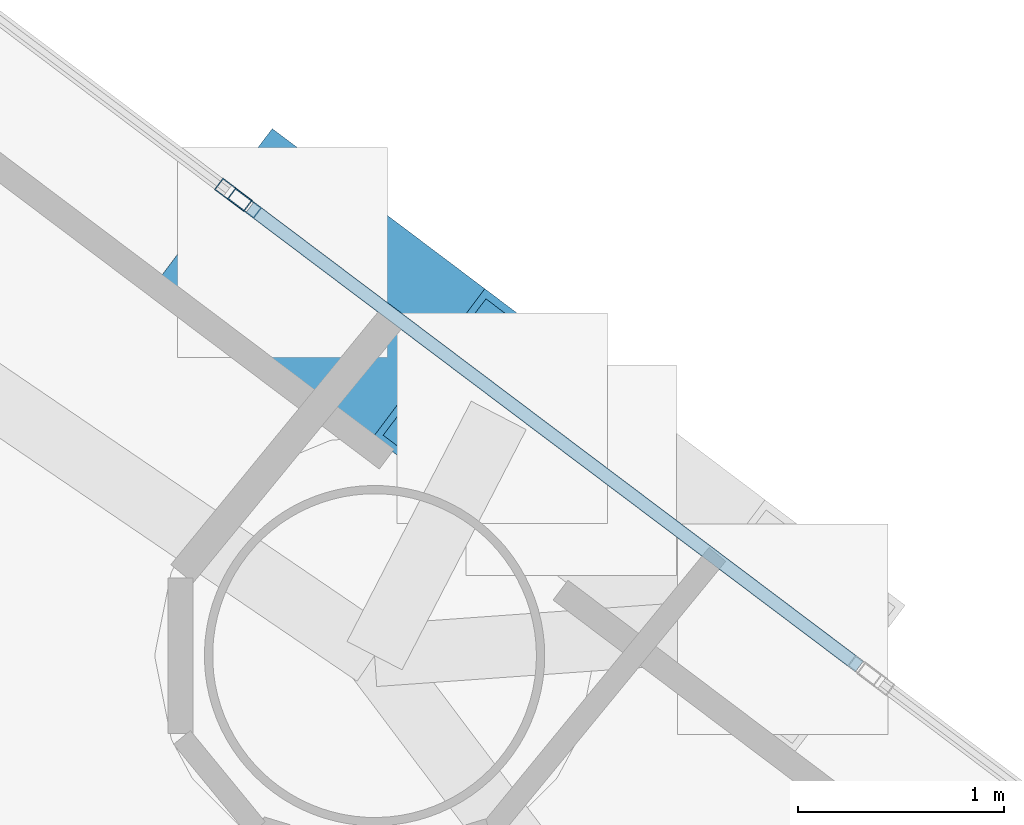
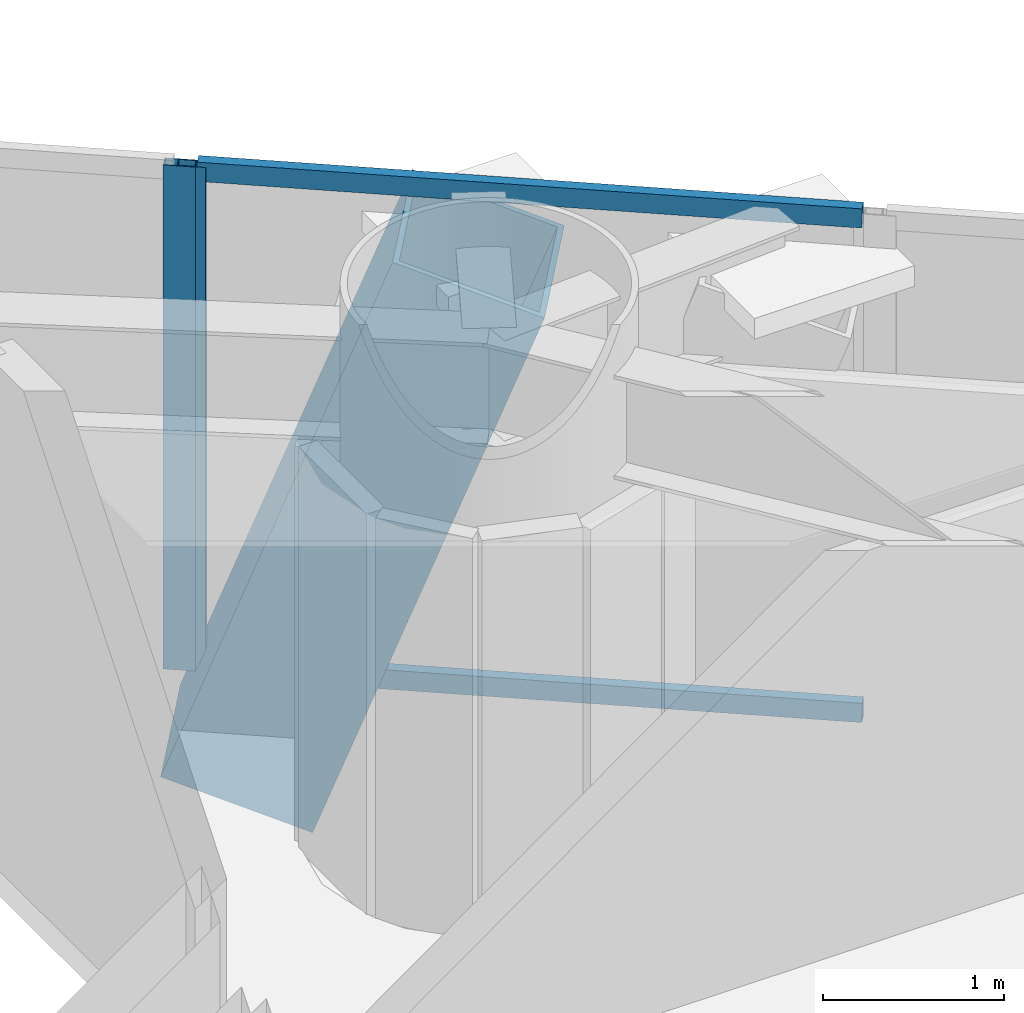
# One storey, part 10 of 22: 5 members, 2 elements without a shape of their own.
"""IFC4 building model written with IfcOpenShell, lengths in metres."""

from ifc_helpers import new_model, si_unit, direction, frame, origin, origin_2d, place, context, subcontext, project, spatial, hollow_rectangle, extrude, material, layer, layer_set, material_profile, profile_set, type_object, element, aggregate, save


model = new_model("IFC4")

# Units and contexts
model_context = context("Model", 3, precision=1e-05, world=origin(), true_north=direction((0.0, 1.0)))
body_context = subcontext(model_context, "Body", "Model", "MODEL_VIEW")
ifc_project = project(units=[si_unit("LENGTHUNIT", "METRE"), si_unit("AREAUNIT", "SQUARE_METRE"), si_unit("VOLUMEUNIT", "CUBIC_METRE"), si_unit("PLANEANGLEUNIT", "RADIAN"), si_unit("MASSUNIT", "GRAM", prefix="KILO")], contexts=[model_context])

# Site, building, storey
site_placement = place(None, origin())
site = spatial("IfcSite", under=ifc_project, at=site_placement, CompositionType="ELEMENT")
building_placement = place(site_placement, origin())
building = spatial("IfcBuilding", under=site, at=building_placement, Name="Qianvela Tower", CompositionType="ELEMENT")
storey_placement = place(building_placement, frame((0.0, 0.0, 89.5)))
storey = spatial("IfcBuildingStorey", under=building, at=storey_placement, Name="L22", CompositionType="ELEMENT", Elevation=89.5)

# Curtain wall, members
ifc_material_1 = material(Name="Anodised Architectural Aluminium and Insulated Spandrel Panel", Category="aluminium")
ifc_layer_1 = layer(ifc_material_1, 0.179931640625)
ifc_layer_set_1 = layer_set([ifc_layer_1], Name="Anodised Architectural Aluminium and Insulated Spandrel Panel")
curtain_wall_type_1 = type_object("IfcCurtainWallType", Name="CW-BRACEBAY", PredefinedType="USERDEFINED", material=ifc_layer_set_1)
curtain_wall_1_placement = place(storey_placement, origin())
curtain_wall_1 = element("IfcCurtainWall", 1, at=curtain_wall_1_placement, inside=storey, type_object=curtain_wall_type_1, Name="L22 CW-BRACEBAY Curtain Wall 02B", ObjectType="CURTAIN_WALL_SYSTEM", PredefinedType="USERDEFINED")
ifc_material_2 = material(Name="Anodised Architectural Aluminium 6063-T6", Category="aluminium")
ifc_material_profile_1 = material_profile(ifc_material_2, hollow_rectangle(XDim=0.06494140625, YDim=0.159912109375, WallThickness=0.0048828125, at=origin_2d()), Name="ALU-MULL-65x160")
ifc_profile_set_1 = profile_set([ifc_material_profile_1], Name="Anodised Architectural Aluminium 6063-T6")
member_type_1 = type_object("IfcMemberType", Name="CW-BRACEBAY-MULL", PredefinedType="MULLION", material=ifc_profile_set_1)
member_1_placement = place(storey_placement, frame((45.353515625, 36.250244140625, 0.0), z_axis=(0.0, 0.0, 1.0), x_axis=(-0.601728115791, -0.798700992028, 0.0)))
member_1 = element("IfcMember", 2, at=member_1_placement, type_object=member_type_1, Name="CW-9 mullion 2", PredefinedType="MULLION", context=body_context, shape_type="SweptSolid", body=[
    extrude(hollow_rectangle(XDim=0.06494140625, YDim=0.159912109375, WallThickness=0.0048828125, at=origin_2d()), origin(), (0.0, 0.0, 1.0), 3.39990234375),
])
ifc_material_3 = material(Name="Anodised Architectural Aluminium 6063-T6", Category="aluminium")
ifc_material_profile_2 = material_profile(ifc_material_3, hollow_rectangle(XDim=0.06494140625, YDim=0.1298828125, WallThickness=0.00439453125, at=origin_2d()), Name="ALU-TRAN-65x130")
ifc_profile_set_2 = profile_set([ifc_material_profile_2], Name="Anodised Architectural Aluminium 6063-T6")
member_type_2 = type_object("IfcMemberType", Name="CW-BRACEBAY-TRAN", PredefinedType="USERDEFINED", material=ifc_profile_set_2)
member_2_placement = place(storey_placement, frame((48.334716796875, 34.00439453125, 0.032470703125), z_axis=(-0.798723404076, 0.601698366111, 0.0), x_axis=(-0.601698366111, -0.798723404076, 0.0)))
member_2 = element("IfcMember", 3, at=member_2_placement, type_object=member_type_2, Name="CW-9 transom 1.1", ObjectType="TRANSOM", PredefinedType="USERDEFINED", context=body_context, shape_type="SweptSolid", body=[
    extrude(hollow_rectangle(XDim=0.06494140625, YDim=0.1298828125, WallThickness=0.00439453125, at=origin_2d()), origin(), (0.0, 0.0, 1.0), 3.699951171875),
])
member_3_placement = place(storey_placement, frame((48.334716796875, 34.00439453125, 3.367431640625), z_axis=(-0.798723404076, 0.601698366111, 0.0), x_axis=(-0.601698366111, -0.798723404076, 0.0)))
member_3 = element("IfcMember", 4, at=member_3_placement, type_object=member_type_2, Name="CW-9 transom 1.2", ObjectType="TRANSOM", PredefinedType="USERDEFINED", context=body_context, shape_type="SweptSolid", body=[
    extrude(hollow_rectangle(XDim=0.06494140625, YDim=0.1298828125, WallThickness=0.00439453125, at=origin_2d()), origin(), (0.0, 0.0, 1.0), 3.699951171875),
])
aggregate(curtain_wall_1, [member_1, member_2, member_3])

# Curtain wall, member
ifc_material_4 = material(Name="Anodised Architectural Aluminium and Low-E Glass", Category="aluminium")
ifc_layer_2 = layer(ifc_material_4, 0.179931640625)
ifc_layer_set_2 = layer_set([ifc_layer_2], Name="Anodised Architectural Aluminium and Low-E Glass")
curtain_wall_type_2 = type_object("IfcCurtainWallType", Name="CW-COLIV-Z12", PredefinedType="USERDEFINED", material=ifc_layer_set_2)
curtain_wall_2_placement = place(storey_placement, origin())
curtain_wall_2 = element("IfcCurtainWall", 5, at=curtain_wall_2_placement, inside=storey, type_object=curtain_wall_type_2, Name="L22 CW-COLIV-Z12 Curtain Wall 02C", ObjectType="CURTAIN_WALL_SYSTEM", PredefinedType="USERDEFINED")
ifc_material_5 = material(Name="Anodised Architectural Aluminium 6063-T6", Category="aluminium")
ifc_material_profile_3 = material_profile(ifc_material_5, hollow_rectangle(XDim=0.070068359375, YDim=0.179931640625, WallThickness=0.0048828125, at=origin_2d()), Name="ALU-MULL-70x180")
ifc_profile_set_3 = profile_set([ifc_material_profile_3], Name="Anodised Architectural Aluminium 6063-T6")
member_type_3 = type_object("IfcMemberType", Name="CW-COLIV-Z12-MULL", PredefinedType="MULLION", material=ifc_profile_set_3)
member_4_placement = place(storey_placement, frame((45.299560546875, 36.290771484375, 0.0), z_axis=(0.0, 0.0, 1.0), x_axis=(-0.601713303516, -0.798712151136, 0.0)))
member_4 = element("IfcMember", 6, at=member_4_placement, type_object=member_type_3, Name="CW-3 mullion 1", PredefinedType="MULLION", context=body_context, shape_type="SweptSolid", body=[
    extrude(hollow_rectangle(XDim=0.070068359375, YDim=0.179931640625, WallThickness=0.0048828125, at=origin_2d()), origin(), (0.0, 0.0, 1.0), 3.39990234375),
])
aggregate(curtain_wall_2, [member_4])

# Member
ifc_material_6 = material(Name="Steel Q420GJC", Category="steel")
ifc_material_profile_4 = material_profile(ifc_material_6, hollow_rectangle(XDim=0.89990234375, YDim=0.89990234375, WallThickness=0.035888671875, at=origin_2d()), Name="MBOX-900x900x36")
ifc_profile_set_4 = profile_set([ifc_material_profile_4], Name="Steel Q420GJC")
member_type_4 = type_object("IfcMemberType", Name="MBR-MBRACE-900", PredefinedType="BRACE", material=ifc_profile_set_4)
member_5_placement = place(storey_placement, frame((45.55517578125, 35.998046875, -0.531982421875), z_axis=(0.270857823149, -0.204009445195, 0.940752988786), x_axis=(0.601633374023, 0.798772360102, 0.0)))
element("IfcMember", 7, at=member_5_placement, inside=storey, type_object=member_type_4, Name="L22 Tier 3 Exterior Mega-Brace F1B", PredefinedType="BRACE", context=body_context, shape_type="SweptSolid", body=[
    extrude(hollow_rectangle(XDim=0.89990234375, YDim=0.89990234375, WallThickness=0.035888671875, at=origin_2d()), origin(), (0.0, 0.0, 1.0), 3.8056640625),
])

save(model, "model.ifc")
